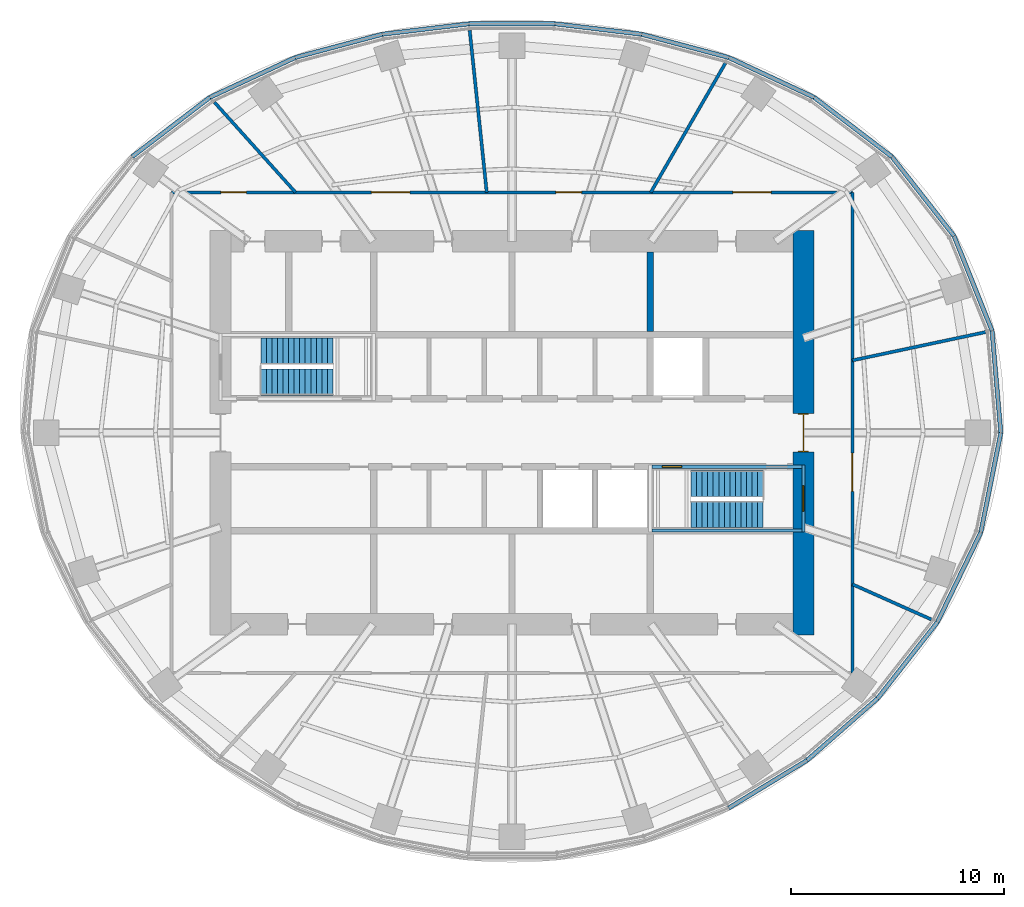
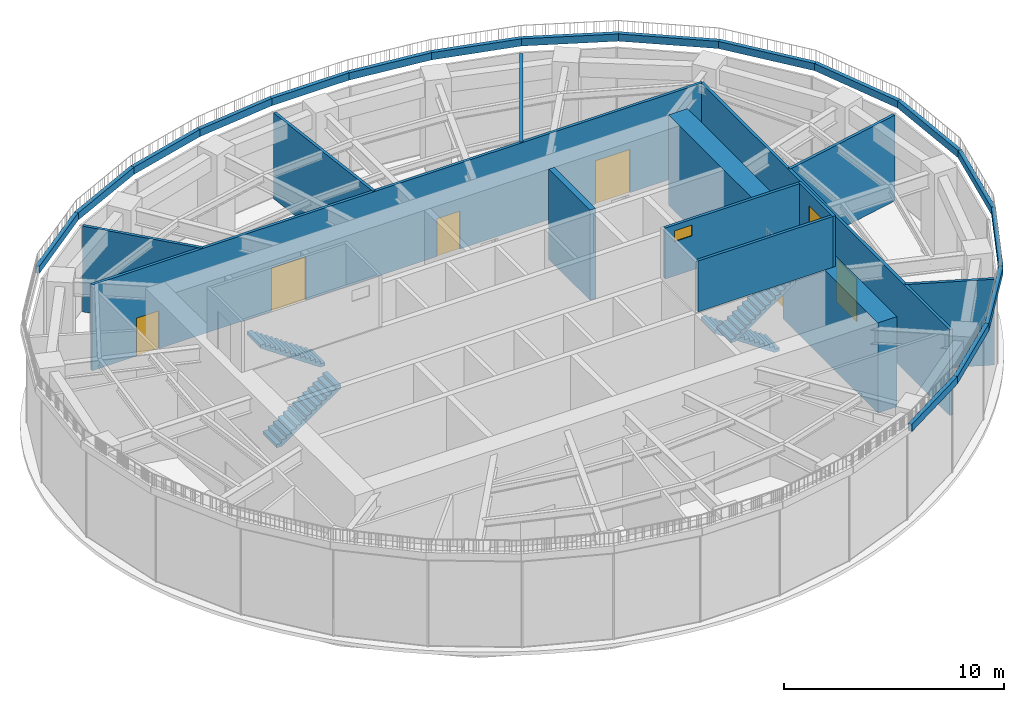
"""IFC4 building model written with IfcOpenShell, lengths in metres."""

import ifcopenshell
import ifcopenshell.guid

model = None  # the IFC model being written
_history = None  # IfcOwnerHistory: only IFC2X3 demands one
_inside = {}  # id of a spatial element -> (the spatial element, [elements in it])
_under = {}  # id of a project, library or spatial element -> (it, [spatial elements below it])
_declared = {}  # id of a project -> (the project, [libraries it declares])
_typed = {}  # id of a type object -> (the type object, [elements of that type])
_made_of = {}  # id of a material, layer set ... -> (it, [elements and type objects made of it])


def new_model(schema):
    """Start an empty IFC model of exactly this schema.

    Asked for "IFC4X3", IfcOpenShell would pick the latest addendum, in which some entities
    have other attributes; the version numbers below select the first issue.
    IFC2X3 requires an IfcOwnerHistory on every rooted entity: one is made here for all.
    """
    global model, _history
    if schema == "IFC4X3":
        model = ifcopenshell.file(schema_version=(4, 3, 0, 0))
    else:
        model = ifcopenshell.file(schema=schema)
    _inside.clear()
    _under.clear()
    _declared.clear()
    _typed.clear()
    _made_of.clear()
    _history = None
    if model.schema == "IFC2X3":
        org = make("IfcOrganization", Name="unknown")
        user = make(
            "IfcPersonAndOrganization",
            ThePerson=make("IfcPerson", FamilyName="unknown"),
            TheOrganization=org,
        )
        app = make(
            "IfcApplication",
            ApplicationDeveloper=org,
            Version="unknown",
            ApplicationFullName="unknown",
            ApplicationIdentifier="unknown",
        )
        _history = make(
            "IfcOwnerHistory",
            OwningUser=user,
            OwningApplication=app,
            ChangeAction="ADDED",
            CreationDate=0,
        )
    return model


def make(cls, **values):
    """One entity of the class cls with the attributes given. An attribute that is None is left unset."""
    return model.create_entity(
        cls, **{name: value for name, value in values.items() if value is not None}
    )


def rooted(cls, **values):
    """An entity with a GlobalId (a new one), such as an element, a storey or a relation."""
    return make(cls, GlobalId=ifcopenshell.guid.new(), OwnerHistory=_history, **values)


def si_unit(unit_type, name, prefix=None):
    """IfcSIUnit, for example si_unit("LENGTHUNIT", "METRE", prefix="MILLI")."""
    return make("IfcSIUnit", UnitType=unit_type, Prefix=prefix, Name=name)


def assignment(units):
    """IfcUnitAssignment: the units of a project."""
    return None if units is None else make("IfcUnitAssignment", Units=units)


def point(xyz):
    """IfcCartesianPoint."""
    return None if xyz is None else make("IfcCartesianPoint", Coordinates=xyz)


def direction(xyz):
    """IfcDirection."""
    return None if xyz is None else make("IfcDirection", DirectionRatios=xyz)


def frame(location, z_axis=None, x_axis=None):
    """IfcAxis2Placement3D, a coordinate frame: its origin and axes. An axis left out is left unset."""
    return make(
        "IfcAxis2Placement3D",
        Location=point(location),
        Axis=direction(z_axis),
        RefDirection=direction(x_axis),
    )


def frame_2d(location, x_axis=None):
    """IfcAxis2Placement2D, a coordinate frame in the plane: its origin and x axis."""
    return make(
        "IfcAxis2Placement2D", Location=point(location), RefDirection=direction(x_axis)
    )


def origin():
    """The frame at (0, 0, 0) with its axes left unset."""
    return frame((0.0, 0.0, 0.0))


def place(relative_to, where):
    """IfcLocalPlacement: puts the frame where relative to a parent placement (None: the world)."""
    return make(
        "IfcLocalPlacement", PlacementRelTo=relative_to, RelativePlacement=where
    )


def context(
    kind, dimensions, precision=None, world=None, true_north=None, identifier=None
):
    """IfcGeometricRepresentationContext, for example the 3D "Model" context."""
    return make(
        "IfcGeometricRepresentationContext",
        ContextIdentifier=identifier,
        ContextType=kind,
        CoordinateSpaceDimension=dimensions,
        Precision=precision,
        WorldCoordinateSystem=world,
        TrueNorth=true_north,
    )


def subcontext(parent, identifier, kind, view, scale=None):
    """IfcGeometricRepresentationSubContext, for example "Body" below "Model"."""
    return make(
        "IfcGeometricRepresentationSubContext",
        ContextIdentifier=identifier,
        ContextType=kind,
        ParentContext=parent,
        TargetScale=scale,
        TargetView=view,
    )


def project(units=None, contexts=None):
    """IfcProject with its units and contexts."""
    return rooted(
        "IfcProject",
        Name="project",
        RepresentationContexts=contexts,
        UnitsInContext=assignment(units),
    )


def spatial(cls, under=None, at=None, **own):
    """A site, building, storey or space (cls), placed at a placement, below another one or the project."""
    s = rooted(cls, ObjectPlacement=at, **own)
    if under is not None:
        _under.setdefault(under.id(), (under, []))[1].append(s)
    return s


def polyline(points):
    """IfcPolyline through the points."""
    return make("IfcPolyline", Points=[point(p) for p in points])


def profile(cls, at=None, kind="AREA", **sizes):
    """A parametric profile (cls). Its sizes go by their IFC names, for example OverallWidth=200.0."""
    return make(cls, ProfileType=kind, Position=at, **sizes)


def rectangle(**sizes):
    """IfcRectangleProfileDef."""
    return profile("IfcRectangleProfileDef", **sizes)


def outline(outer, holes=None, kind="AREA"):
    """IfcArbitraryClosedProfileDef: a profile drawn as a closed curve; with holes, ...WithVoids."""
    if holes is None:
        return make("IfcArbitraryClosedProfileDef", ProfileType=kind, OuterCurve=outer)
    return make(
        "IfcArbitraryProfileDefWithVoids",
        ProfileType=kind,
        OuterCurve=outer,
        InnerCurves=holes,
    )


def extrude(swept, where, along, depth):
    """IfcExtrudedAreaSolid: the profile swept, set in the frame where, extruded along a direction by depth."""
    return make(
        "IfcExtrudedAreaSolid",
        SweptArea=swept,
        Position=where,
        ExtrudedDirection=direction(along),
        Depth=depth,
    )


def shape(context_of_items, identifier, shape_type, items):
    """IfcShapeRepresentation: the items that make up one representation, for example the "Body"."""
    return make(
        "IfcShapeRepresentation",
        ContextOfItems=context_of_items,
        RepresentationIdentifier=identifier,
        RepresentationType=shape_type,
        Items=items,
    )


def material(Name=None, Category=None):
    """IfcMaterial."""
    return make("IfcMaterial", Name=Name, Category=Category)


def layer(
    of_material, thickness, ventilated=None, Name=None, Category=None, Priority=None
):
    """IfcMaterialLayer: one layer of a wall or slab, of a material (None: an air gap)."""
    return make(
        "IfcMaterialLayer",
        Material=of_material,
        LayerThickness=thickness,
        IsVentilated=ventilated,
        Name=Name,
        Category=Category,
        Priority=Priority,
    )


def layer_set(layers, Name=None):
    """IfcMaterialLayerSet."""
    return make("IfcMaterialLayerSet", MaterialLayers=layers, LayerSetName=Name)


def made_of(thing, what):
    """Note that an element or type object is made of a material, layer set ...; save() writes the relation."""
    if what is not None:
        _made_of.setdefault(what.id(), (what, []))[1].append(thing)
    return thing


def type_object(cls, material=None, **own):
    """A type object (cls), such as IfcWallType, which elements share."""
    return made_of(rooted(cls, **own), material)


def element(
    cls,
    number,
    at=None,
    inside=None,
    cuts=None,
    type_object=None,
    material=None,
    context=None,
    identifier="Body",
    shape_type=None,
    held_by="IfcProductDefinitionShape",
    body=None,
    shapes=None,
    **own,
):
    """One element of the class cls, such as IfcWall. Its Tag is "e" and its number.

    at: its placement. inside: the storey or other place that contains it. cuts: it is an
    opening in that element (IfcRelVoidsElement). A single representation is given by context,
    identifier, shape_type and body (its items); several are given by shapes. held_by: the class
    of the entity that holds the representations. save() writes the other relations.
    """
    e = rooted(cls, Tag="e%d" % number, ObjectPlacement=at, **own)
    if body is not None:
        shapes = [shape(context, identifier, shape_type, body)]
    if shapes is not None:
        e.Representation = make(held_by, Representations=shapes)
    if inside is not None:
        _inside.setdefault(inside.id(), (inside, []))[1].append(e)
    if cuts is not None:
        rooted(
            "IfcRelVoidsElement", RelatingBuildingElement=cuts, RelatedOpeningElement=e
        )
    if type_object is not None:
        _typed.setdefault(type_object.id(), (type_object, []))[1].append(e)
    return made_of(e, material)


def fill(opening, filler):
    """IfcRelFillsElement: the door or window that sits in an opening."""
    return rooted(
        "IfcRelFillsElement",
        RelatingOpeningElement=opening,
        RelatedBuildingElement=filler,
    )


def aggregate(whole, parts):
    """IfcRelAggregates: a whole, such as a stair, and the parts it consists of."""
    return rooted("IfcRelAggregates", RelatingObject=whole, RelatedObjects=parts)


def save(model, path):
    """Write the relations noted so far, then the file.

    IfcRelAggregates (storeys below a building ...), IfcRelContainedInSpatialStructure (elements
    in a storey), IfcRelDefinesByType, IfcRelAssociatesMaterial and IfcRelDeclares: one each for
    every whole, place, type object, material and project.
    """
    for whole, parts in _under.values():
        aggregate(whole, parts)
    for where, things in _inside.values():
        rooted(
            "IfcRelContainedInSpatialStructure",
            RelatedElements=things,
            RelatingStructure=where,
        )
    for kind, things in _typed.values():
        rooted("IfcRelDefinesByType", RelatedObjects=things, RelatingType=kind)
    for what, things in _made_of.values():
        rooted("IfcRelAssociatesMaterial", RelatedObjects=things, RelatingMaterial=what)
    for by, libraries in _declared.values():
        rooted("IfcRelDeclares", RelatingContext=by, RelatedDefinitions=libraries)
    model.write(path)


model = new_model("IFC4")

# Units and contexts
model_context = context("Model", 3, precision=1e-05, world=origin(), true_north=direction((0.0, 1.0)))
body_context = subcontext(model_context, "Body", "Model", "MODEL_VIEW")
ifc_project = project(units=[si_unit("LENGTHUNIT", "METRE"), si_unit("AREAUNIT", "SQUARE_METRE"), si_unit("VOLUMEUNIT", "CUBIC_METRE"), si_unit("PLANEANGLEUNIT", "RADIAN"), si_unit("MASSUNIT", "GRAM", prefix="KILO")], contexts=[model_context])

# Site, building, storey
site_placement = place(None, origin())
site = spatial("IfcSite", under=ifc_project, at=site_placement, CompositionType="ELEMENT")
building_placement = place(site_placement, origin())
building = spatial("IfcBuilding", under=site, at=building_placement, Name="Marramba Exchange Tower", CompositionType="ELEMENT")
storey_1_placement = place(building_placement, frame((0.0, 0.0, 277.0)))
storey_1 = spatial("IfcBuildingStorey", under=building, at=storey_1_placement, Name="L67", CompositionType="ELEMENT", Elevation=277.0)

# Wall, opening, door
ifc_material_1 = material(Name="Concrete N50", Category="concrete")
ifc_layer_1 = layer(ifc_material_1, 1.0)
ifc_layer_set_1 = layer_set([ifc_layer_1], Name="Core wall 1000")
wall_type_1 = type_object("IfcWallType", Name="Core wall 1000", PredefinedType="SHEAR", material=ifc_layer_set_1)
wall_1_placement = place(storey_1_placement, frame((13.699951171875, -9.5, 0.0), z_axis=(0.0, 0.0, 1.0), x_axis=(0.0, 1.0, 0.0)))
wall_1 = element("IfcWall", 1, at=wall_1_placement, inside=storey_1, type_object=wall_type_1, Name="Core wall E L67", PredefinedType="SHEAR", context=body_context, shape_type="SweptSolid", body=[
    extrude(rectangle(XDim=19.0, YDim=1.0, at=frame_2d((9.5, 0.0))), origin(), (0.0, 0.0, 1.0), 5.0),
])
opening_1_placement = place(wall_1_placement, frame((8.60009765625, 0.0, 0.0)))
opening_1 = element("IfcOpeningElement", 2, at=opening_1_placement, cuts=wall_1, Name="Opening D1", PredefinedType="OPENING", context=body_context, shape_type="SweptSolid", body=[
    extrude(rectangle(XDim=1.800048828125, YDim=2.39990234375, at=frame_2d((0.89990234375, 1.199951171875))), frame((0.0, 0.510009765625, 0.0), z_axis=(0.0, -1.0, 0.0), x_axis=(1.0, 0.0, 0.0)), (0.0, 0.0, 1.0), 1.02001953125),
])
ifc_material_2 = material(Name="Steel-framed door", Category="steel")
door_type_1 = type_object("IfcDoorType", Name="Lobby exit door 1800x2400", OperationType="DOUBLE_DOOR_SINGLE_SWING", PredefinedType="DOOR", material=ifc_material_2)
door_1_placement = place(opening_1_placement, origin())
door_1 = element("IfcDoor", 3, at=door_1_placement, inside=storey_1, type_object=door_type_1, Name="D1 lobby exit east L67", OperationType="DOUBLE_DOOR_SINGLE_SWING", OverallHeight=2.39990234375, OverallWidth=1.800048828125, PredefinedType="DOOR", context=body_context, shape_type="SweptSolid", body=[
    extrude(rectangle(XDim=1.719970703125, YDim=2.35986328125, at=frame_2d((0.89990234375, 1.179931640625))), frame((0.0, 0.02490234375, 0.0), z_axis=(0.0, -1.0, 0.0), x_axis=(1.0, 0.0, 0.0)), (0.0, 0.0, 1.0), 0.050048828125),
    extrude(rectangle(XDim=0.04, YDim=2.39990234375, at=frame_2d((0.02001953125, 1.199951171875))), frame((0.0, 0.25, 0.0), z_axis=(0.0, -1.0, 0.0), x_axis=(1.0, 0.0, 0.0)), (0.0, 0.0, 1.0), 0.5),
    extrude(rectangle(XDim=0.04, YDim=2.39990234375, at=frame_2d((1.780029296875, 1.199951171875))), frame((0.0, 0.25, 0.0), z_axis=(0.0, -1.0, 0.0), x_axis=(1.0, 0.0, 0.0)), (0.0, 0.0, 1.0), 0.5),
    extrude(rectangle(XDim=1.719970703125, YDim=0.04, at=frame_2d((0.89990234375, 2.3798828125))), frame((0.0, 0.25, 0.0), z_axis=(0.0, -1.0, 0.0), x_axis=(1.0, 0.0, 0.0)), (0.0, 0.0, 1.0), 0.5),
])
fill(opening_1, door_1)

# Walls
ifc_layer_2 = layer(ifc_material_1, 0.300048828125)
ifc_layer_set_2 = layer_set([ifc_layer_2], Name="Core wall 300")
wall_type_2 = type_object("IfcWallType", Name="Core wall 300", PredefinedType="SHEAR", material=ifc_layer_set_2)
wall_2_placement = place(storey_1_placement, frame((6.5, 4.75, 0.0), z_axis=(0.0, 0.0, 1.0), x_axis=(0.0, 1.0, 0.0)))
element("IfcWall", 4, at=wall_2_placement, inside=storey_1, type_object=wall_type_2, Name="Core wall X1Nb L67", PredefinedType="SHEAR", context=body_context, shape_type="SweptSolid", body=[
    extrude(rectangle(XDim=3.75, YDim=0.300048828125, at=frame_2d((1.875, 0.0))), origin(), (0.0, 0.0, 1.0), 5.0),
])
ifc_material_3 = material(Name="Concrete N40", Category="concrete")
ifc_layer_3 = layer(ifc_material_3, 0.199951171875)
ifc_layer_set_3 = layer_set([ifc_layer_3], Name="Roof upstand 200x400")
wall_type_3 = type_object("IfcWallType", Name="Roof upstand 200x400", PredefinedType="PARAPET", material=ifc_layer_set_3)
wall_3_placement = place(storey_1_placement, frame((22.97998046875, 0.0, 5.0), z_axis=(0.0, 0.0, 1.0), x_axis=(-0.085747752545, 0.996316878776, 0.0)))
element("IfcWall", 5, at=wall_3_placement, inside=storey_1, type_object=wall_type_3, Name="Roof upstand Roof crown F01", PredefinedType="PARAPET", context=body_context, shape_type="SweptSolid", body=[
    extrude(rectangle(XDim=4.814697265625, YDim=0.199951171875, at=frame_2d((2.4072265625, 0.0))), origin(), (0.0, 0.0, 1.0), 0.39990234375),
])
wall_4_placement = place(storey_1_placement, frame((22.567138671875, 4.796875, 5.0), z_axis=(0.0, 0.0, 1.0), x_axis=(-0.372363873994, 0.928086819939, 0.0)))
element("IfcWall", 6, at=wall_4_placement, inside=storey_1, type_object=wall_type_3, Name="Roof upstand Roof crown F02", PredefinedType="PARAPET", context=body_context, shape_type="SweptSolid", body=[
    extrude(rectangle(XDim=4.800048828125, YDim=0.199951171875, at=frame_2d((2.39990234375, 0.0))), origin(), (0.0, 0.0, 1.0), 0.39990234375),
])
wall_5_placement = place(storey_1_placement, frame((20.77978515625, 9.251708984375, 5.0), z_axis=(0.0, 0.0, 1.0), x_axis=(-0.617103610012, 0.78688190633, 0.0)))
element("IfcWall", 7, at=wall_5_placement, inside=storey_1, type_object=wall_type_3, Name="Roof upstand Roof crown F03", PredefinedType="PARAPET", context=body_context, shape_type="SweptSolid", body=[
    extrude(rectangle(XDim=4.732421875, YDim=0.199951171875, at=frame_2d((2.3662109375, 0.0))), origin(), (0.0, 0.0, 1.0), 0.39990234375),
])
wall_6_placement = place(storey_1_placement, frame((17.859375, 12.9755859375, 5.0), z_axis=(0.0, 0.0, 1.0), x_axis=(-0.794855686591, 0.606798514743, 0.0)))
element("IfcWall", 8, at=wall_6_placement, inside=storey_1, type_object=wall_type_3, Name="Roof upstand Roof crown F04", PredefinedType="PARAPET", context=body_context, shape_type="SweptSolid", body=[
    extrude(rectangle(XDim=4.604736328125, YDim=0.199951171875, at=frame_2d((2.30224609375, 0.0))), origin(), (0.0, 0.0, 1.0), 0.39990234375),
])
wall_7_placement = place(storey_1_placement, frame((14.19921875, 15.769775390625, 5.0), z_axis=(0.0, 0.0, 1.0), x_axis=(-0.906246502857, 0.422749661217, 0.0)))
element("IfcWall", 9, at=wall_7_placement, inside=storey_1, type_object=wall_type_3, Name="Roof upstand Roof crown F05", PredefinedType="PARAPET", context=body_context, shape_type="SweptSolid", body=[
    extrude(rectangle(XDim=4.428955078125, YDim=0.199951171875, at=frame_2d((2.21435546875, 0.0))), origin(), (0.0, 0.0, 1.0), 0.39990234375),
])
wall_8_placement = place(storey_1_placement, frame((10.185546875, 17.64208984375, 5.0), z_axis=(0.0, 0.0, 1.0), x_axis=(-0.96617759257, 0.257877605881, 0.0)))
element("IfcWall", 10, at=wall_8_placement, inside=storey_1, type_object=wall_type_3, Name="Roof upstand Roof crown F06", PredefinedType="PARAPET", context=body_context, shape_type="SweptSolid", body=[
    extrude(rectangle(XDim=4.241455078125, YDim=0.199951171875, at=frame_2d((2.12060546875, 0.0))), origin(), (0.0, 0.0, 1.0), 0.39990234375),
])
wall_9_placement = place(storey_1_placement, frame((6.087646484375, 18.73583984375, 5.0), z_axis=(0.0, 0.0, 1.0), x_axis=(-0.99282711648, 0.119558842338, 0.0)))
element("IfcWall", 11, at=wall_9_placement, inside=storey_1, type_object=wall_type_3, Name="Roof upstand Roof crown F07", PredefinedType="PARAPET", context=body_context, shape_type="SweptSolid", body=[
    extrude(rectangle(XDim=4.09619140625, YDim=0.199951171875, at=frame_2d((2.048095703125, 0.0))), origin(), (0.0, 0.0, 1.0), 0.39990234375),
])
wall_10_placement = place(storey_1_placement, frame((2.020751953125, 19.2255859375, 5.0), z_axis=(0.0, 0.0, 1.0), x_axis=(-1.0, 0.0, 0.0)))
element("IfcWall", 12, at=wall_10_placement, inside=storey_1, type_object=wall_type_3, Name="Roof upstand Roof crown F08", PredefinedType="PARAPET", context=body_context, shape_type="SweptSolid", body=[
    extrude(rectangle(XDim=4.04150390625, YDim=0.199951171875, at=frame_2d((2.020751953125, 0.0))), origin(), (0.0, 0.0, 1.0), 0.39990234375),
])
wall_11_placement = place(storey_1_placement, frame((-2.020751953125, 19.2255859375, 5.0), z_axis=(0.0, 0.0, 1.0), x_axis=(-0.99282711648, -0.119558842338, 0.0)))
element("IfcWall", 13, at=wall_11_placement, inside=storey_1, type_object=wall_type_3, Name="Roof upstand Roof crown F09", PredefinedType="PARAPET", context=body_context, shape_type="SweptSolid", body=[
    extrude(rectangle(XDim=4.09619140625, YDim=0.199951171875, at=frame_2d((2.048095703125, 0.0))), origin(), (0.0, 0.0, 1.0), 0.39990234375),
])
wall_12_placement = place(storey_1_placement, frame((-6.087646484375, 18.73583984375, 5.0), z_axis=(0.0, 0.0, 1.0), x_axis=(-0.96617759257, -0.257877605881, 0.0)))
element("IfcWall", 14, at=wall_12_placement, inside=storey_1, type_object=wall_type_3, Name="Roof upstand Roof crown F10", PredefinedType="PARAPET", context=body_context, shape_type="SweptSolid", body=[
    extrude(rectangle(XDim=4.241455078125, YDim=0.199951171875, at=frame_2d((2.12060546875, 0.0))), origin(), (0.0, 0.0, 1.0), 0.39990234375),
])
wall_13_placement = place(storey_1_placement, frame((-10.185546875, 17.64208984375, 5.0), z_axis=(0.0, 0.0, 1.0), x_axis=(-0.906246502857, -0.422749661217, 0.0)))
element("IfcWall", 15, at=wall_13_placement, inside=storey_1, type_object=wall_type_3, Name="Roof upstand Roof crown F11", PredefinedType="PARAPET", context=body_context, shape_type="SweptSolid", body=[
    extrude(rectangle(XDim=4.428955078125, YDim=0.199951171875, at=frame_2d((2.21435546875, 0.0))), origin(), (0.0, 0.0, 1.0), 0.39990234375),
])
wall_14_placement = place(storey_1_placement, frame((-14.19921875, 15.769775390625, 5.0), z_axis=(0.0, 0.0, 1.0), x_axis=(-0.794855686591, -0.606798514743, 0.0)))
element("IfcWall", 16, at=wall_14_placement, inside=storey_1, type_object=wall_type_3, Name="Roof upstand Roof crown F12", PredefinedType="PARAPET", context=body_context, shape_type="SweptSolid", body=[
    extrude(rectangle(XDim=4.604736328125, YDim=0.199951171875, at=frame_2d((2.30224609375, 0.0))), origin(), (0.0, 0.0, 1.0), 0.39990234375),
])
wall_15_placement = place(storey_1_placement, frame((10.185546875, -17.64208984375, 5.0), z_axis=(0.0, 0.0, 1.0), x_axis=(0.854217149251, 0.519916398977, 0.0)))
element("IfcWall", 17, at=wall_15_placement, inside=storey_1, type_object=wall_type_3, Name="Roof upstand Roof crown F26", PredefinedType="PARAPET", context=body_context, shape_type="SweptSolid", body=[
    extrude(rectangle(XDim=4.310302734375, YDim=0.199951171875, at=frame_2d((2.1552734375, 0.0))), origin(), (0.0, 0.0, 1.0), 0.39990234375),
])
wall_16_placement = place(storey_1_placement, frame((13.867431640625, -15.401123046875, 5.0), z_axis=(0.0, 0.0, 1.0), x_axis=(0.751898477354, 0.659278908925, 0.0)))
element("IfcWall", 18, at=wall_16_placement, inside=storey_1, type_object=wall_type_3, Name="Roof upstand Roof crown F27", PredefinedType="PARAPET", context=body_context, shape_type="SweptSolid", body=[
    extrude(rectangle(XDim=4.41796875, YDim=0.199951171875, at=frame_2d((2.208984375, 0.0))), origin(), (0.0, 0.0, 1.0), 0.39990234375),
])
wall_17_placement = place(storey_1_placement, frame((17.189208984375, -12.488525390625, 5.0), z_axis=(0.0, 0.0, 1.0), x_axis=(0.617115858167, 0.786872300694, 0.0)))
element("IfcWall", 19, at=wall_17_placement, inside=storey_1, type_object=wall_type_3, Name="Roof upstand Roof crown F28", PredefinedType="PARAPET", context=body_context, shape_type="SweptSolid", body=[
    extrude(rectangle(XDim=4.5546875, YDim=0.199951171875, at=frame_2d((2.27734375, 0.0))), origin(), (0.0, 0.0, 1.0), 0.39990234375),
])
wall_18_placement = place(storey_1_placement, frame((20.0, -8.904541015625, 5.0), z_axis=(0.0, 0.0, 1.0), x_axis=(0.43525592316, 0.900306770692, 0.0)))
element("IfcWall", 20, at=wall_18_placement, inside=storey_1, type_object=wall_type_3, Name="Roof upstand Roof crown F29", PredefinedType="PARAPET", context=body_context, shape_type="SweptSolid", body=[
    extrude(rectangle(XDim=4.68701171875, YDim=0.199951171875, at=frame_2d((2.343505859375, 0.0))), origin(), (0.0, 0.0, 1.0), 0.39990234375),
])
wall_19_placement = place(storey_1_placement, frame((22.0400390625, -4.684814453125, 5.0), z_axis=(0.0, 0.0, 1.0), x_axis=(0.196715481336, 0.980460615937, 0.0)))
element("IfcWall", 21, at=wall_19_placement, inside=storey_1, type_object=wall_type_3, Name="Roof upstand Roof crown F30", PredefinedType="PARAPET", context=body_context, shape_type="SweptSolid", body=[
    extrude(rectangle(XDim=4.778076171875, YDim=0.199951171875, at=frame_2d((2.38916015625, 0.0))), origin(), (0.0, 0.0, 1.0), 0.39990234375),
])

# Wall, opening, door
ifc_material_4 = material(Name="Precast concrete N40 panel", Category="concrete")
ifc_layer_4 = layer(ifc_material_4, 0.14990234375)
ifc_layer_set_4 = layer_set([ifc_layer_4], Name="Stair head-house wall 150")
wall_type_4 = type_object("IfcWallType", Name="Stair head-house wall 150", PredefinedType="SOLIDWALL", material=ifc_layer_set_4)
wall_20_placement = place(storey_1_placement, frame((13.699951171875, -4.675048828125, 5.0), z_axis=(0.0, 0.0, 1.0), x_axis=(0.0, 1.0, 0.0)))
wall_20 = element("IfcWall", 22, at=wall_20_placement, inside=storey_1, type_object=wall_type_4, Name="Stair head-house wall ST2 E", PredefinedType="SOLIDWALL", context=body_context, shape_type="SweptSolid", body=[
    extrude(rectangle(XDim=3.150146484375, YDim=0.14990234375, at=frame_2d((1.5751953125, 0.0))), origin(), (0.0, 0.0, 1.0), 2.820068359375),
])
opening_2_placement = place(wall_20_placement, frame((0.97509765625, 0.0, 0.0)))
opening_2 = element("IfcOpeningElement", 23, at=opening_2_placement, cuts=wall_20, Name="Opening D12", PredefinedType="OPENING", context=body_context, shape_type="SweptSolid", body=[
    extrude(rectangle(XDim=1.199951171875, YDim=2.10009765625, at=frame_2d((0.60009765625, 1.050048828125))), frame((0.0, 0.0849609375, 0.0), z_axis=(0.0, -1.0, 0.0), x_axis=(1.0, 0.0, 0.0)), (0.0, 0.0, 1.0), 0.169921875),
])
door_type_2 = type_object("IfcDoorType", Name="Roof access door 1200x2100", OperationType="SINGLE_SWING_LEFT", PredefinedType="DOOR", material=ifc_material_2)
door_2_placement = place(opening_2_placement, frame((1.199951171875, 0.0, 0.0), z_axis=(0.0, 0.0, 1.0), x_axis=(-1.0, 0.0, 0.0)))
door_2 = element("IfcDoor", 24, at=door_2_placement, inside=storey_1, type_object=door_type_2, Name="D12 roof ST2", OperationType="SINGLE_SWING_RIGHT", OverallHeight=2.10009765625, OverallWidth=1.199951171875, PredefinedType="DOOR", context=body_context, shape_type="SweptSolid", body=[
    extrude(rectangle(XDim=1.199951171875, YDim=2.10009765625, at=frame_2d((0.599853515625, 1.050048828125))), frame((0.0, 0.025146484375, 0.0), z_axis=(0.0, -1.0, 0.0), x_axis=(1.0, 0.0, 0.0)), (0.0, 0.0, 1.0), 0.050048828125),
])
fill(opening_2, door_2)

# Wall
wall_21_placement = place(storey_1_placement, frame((6.574951171875, -4.60009765625, 5.0), z_axis=(0.0, 0.0, 1.0), x_axis=(1.0, 0.0, 0.0)))
element("IfcWall", 25, at=wall_21_placement, inside=storey_1, type_object=wall_type_4, Name="Stair head-house wall ST2 S", PredefinedType="SOLIDWALL", context=body_context, shape_type="SweptSolid", body=[
    extrude(rectangle(XDim=7.050048828125, YDim=0.14990234375, at=frame_2d((3.52490234375, 0.0))), origin(), (0.0, 0.0, 1.0), 2.820068359375),
])

# Wall, opening
wall_22_placement = place(storey_1_placement, frame((6.574951171875, -1.60009765625, 5.0), z_axis=(0.0, 0.0, 1.0), x_axis=(1.0, 0.0, 0.0)))
wall_22 = element("IfcWall", 26, at=wall_22_placement, inside=storey_1, type_object=wall_type_4, Name="Stair head-house wall ST2 N", PredefinedType="SOLIDWALL", context=body_context, shape_type="SweptSolid", body=[
    extrude(rectangle(XDim=7.050048828125, YDim=0.14990234375, at=frame_2d((3.52490234375, 0.0))), origin(), (0.0, 0.0, 1.0), 2.820068359375),
])
opening_3_placement = place(wall_22_placement, frame((0.5, 0.0, 1.89990234375)))
opening_3 = element("IfcOpeningElement", 27, at=opening_3_placement, cuts=wall_22, Name="Opening W6", PredefinedType="OPENING", context=body_context, shape_type="SweptSolid", body=[
    extrude(rectangle(XDim=0.89990234375, YDim=0.60009765625, at=frame_2d((0.449951171875, 0.300048828125))), frame((0.0, 0.0849609375, 0.0), z_axis=(0.0, -1.0, 0.0), x_axis=(1.0, 0.0, 0.0)), (0.0, 0.0, 1.0), 0.169921875),
])

# Storey
storey_2_placement = place(building_placement, frame((0.0, 0.0, 282.0)))
storey_2 = spatial("IfcBuildingStorey", under=building, at=storey_2_placement, Name="Roof crown", CompositionType="ELEMENT", Elevation=282.0)

# Window
ifc_material_5 = material(Name="Aluminium relief louvre, bronze anodised", Category="aluminium")
window_type = type_object("IfcWindowType", Name="Stair pressure relief louvre 900x600", PartitioningType="SINGLE_PANEL", PredefinedType="WINDOW", material=ifc_material_5)
window_placement = place(opening_3_placement, origin())
window = element("IfcWindow", 28, at=window_placement, inside=storey_2, type_object=window_type, Name="W6 roof ST2", OverallHeight=0.60009765625, OverallWidth=0.89990234375, PartitioningType="SINGLE_PANEL", PredefinedType="WINDOW", context=body_context, shape_type="SweptSolid", body=[
    extrude(rectangle(XDim=0.89990234375, YDim=0.60009765625, at=frame_2d((0.449951171875, 0.300048828125))), frame((0.0, 0.030029296875, 0.0), z_axis=(0.0, -1.0, 0.0), x_axis=(1.0, 0.0, 0.0)), (0.0, 0.0, 1.0), 0.06005859375),
])

fill(opening_3, window)

# Wall
ifc_material_6 = material(Name="Fire-rated plasterboard on steel studs, acoustic insulation", Category="steel")
ifc_layer_5 = layer(ifc_material_6, 0.14990234375)
ifc_layer_set_5 = layer_set([ifc_layer_5], Name="Tenancy wall 150")
wall_type_5 = type_object("IfcWallType", Name="Tenancy wall 150", PredefinedType="PARTITIONING", material=ifc_layer_set_5)
wall_23_placement = place(storey_1_placement, frame((16.0, -7.123779296875, 0.0), z_axis=(0.0, 0.0, 1.0), x_axis=(0.91357135451, -0.406678472774, 0.0)))
element("IfcWall", 29, at=wall_23_placement, inside=storey_1, type_object=wall_type_5, Name="Tenancy wall L67 06", PredefinedType="PARTITIONING", context=body_context, shape_type="SweptSolid", body=[
    extrude(rectangle(XDim=4.068359375, YDim=0.14990234375, at=frame_2d((2.0341796875, 0.0))), origin(), (0.0, 0.0, 1.0), 4.75),
])

# Wall, opening, door
wall_24_placement = place(storey_1_placement, frame((16.0, -11.300048828125, 0.0), z_axis=(0.0, 0.0, 1.0), x_axis=(0.0, 1.0, 0.0)))
wall_24 = element("IfcWall", 30, at=wall_24_placement, inside=storey_1, type_object=wall_type_5, Name="Tenancy wall L67 07", PredefinedType="PARTITIONING", context=body_context, shape_type="SweptSolid", body=[
    extrude(rectangle(XDim=22.60009765625, YDim=0.14990234375, at=frame_2d((11.300048828125, 0.0))), origin(), (0.0, 0.0, 1.0), 4.75),
])
opening_4_placement = place(wall_24_placement, frame((8.5390625, 0.0, 0.0)))
opening_4 = element("IfcOpeningElement", 31, at=opening_4_placement, cuts=wall_24, Name="Opening D18", PredefinedType="OPENING", context=body_context, shape_type="SweptSolid", body=[
    extrude(rectangle(XDim=1.800048828125, YDim=2.39990234375, at=frame_2d((0.89990234375, 1.199951171875))), frame((0.0, 0.0849609375, 0.0), z_axis=(0.0, -1.0, 0.0), x_axis=(1.0, 0.0, 0.0)), (0.0, 0.0, 1.0), 0.169921875),
])
door_type_3 = type_object("IfcDoorType", Name="Door pair 1800x2400", OperationType="DOUBLE_DOOR_SINGLE_SWING", PredefinedType="DOOR", material=ifc_material_2)
door_3_placement = place(opening_4_placement, origin())
door_3 = element("IfcDoor", 32, at=door_3_placement, inside=storey_1, type_object=door_type_3, Name="D18 Condenser Water Plant Room L67", OperationType="DOUBLE_DOOR_SINGLE_SWING", OverallHeight=2.39990234375, OverallWidth=1.800048828125, PredefinedType="DOOR", context=body_context, shape_type="SweptSolid", body=[
    extrude(rectangle(XDim=1.800048828125, YDim=2.39990234375, at=frame_2d((0.89990234375, 1.199951171875))), frame((0.0, 0.02490234375, 0.0), z_axis=(0.0, -1.0, 0.0), x_axis=(1.0, 0.0, 0.0)), (0.0, 0.0, 1.0), 0.050048828125),
])
fill(opening_4, door_3)

# Walls
wall_25_placement = place(storey_1_placement, frame((22.263916015625, 4.732421875, 0.0), z_axis=(0.0, 0.0, 1.0), x_axis=(-0.97814421791, -0.207927605117, 0.0)))
element("IfcWall", 33, at=wall_25_placement, inside=storey_1, type_object=wall_type_5, Name="Tenancy wall L67 08", PredefinedType="PARTITIONING", context=body_context, shape_type="SweptSolid", body=[
    extrude(rectangle(XDim=6.40380859375, YDim=0.14990234375, at=frame_2d((3.201904296875, 0.0))), origin(), (0.0, 0.0, 1.0), 4.75),
])
wall_26_placement = place(storey_1_placement, frame((6.524169921875, 11.300048828125, 0.0), z_axis=(0.0, 0.0, 1.0), x_axis=(0.4999806097, 0.86603659849, 0.0)))
element("IfcWall", 34, at=wall_26_placement, inside=storey_1, type_object=wall_type_5, Name="Tenancy wall L67 09", PredefinedType="PARTITIONING", context=body_context, shape_type="SweptSolid", body=[
    extrude(rectangle(XDim=7.012939453125, YDim=0.14990234375, at=frame_2d((3.50634765625, 0.0))), origin(), (0.0, 0.0, 1.0), 4.75),
])

# Wall, openings, doors
wall_27_placement = place(storey_1_placement, frame((16.0, 11.300048828125, 0.0), z_axis=(0.0, 0.0, 1.0), x_axis=(-1.0, 0.0, 0.0)))
wall_27 = element("IfcWall", 35, at=wall_27_placement, inside=storey_1, type_object=wall_type_5, Name="Tenancy wall L67 10", PredefinedType="PARTITIONING", context=body_context, shape_type="SweptSolid", body=[
    extrude(rectangle(XDim=32.0, YDim=0.14990234375, at=frame_2d((16.0, 0.0))), origin(), (0.0, 0.0, 1.0), 4.75),
])
opening_5_placement = place(wall_27_placement, frame((3.81298828125, 0.0, 0.0)))
opening_5 = element("IfcOpeningElement", 36, at=opening_5_placement, cuts=wall_27, Name="Opening D18", PredefinedType="OPENING", context=body_context, shape_type="SweptSolid", body=[
    extrude(rectangle(XDim=1.800048828125, YDim=2.39990234375, at=frame_2d((0.89990234375, 1.199951171875))), frame((0.0, 0.0849609375, 0.0), z_axis=(0.0, -1.0, 0.0), x_axis=(1.0, 0.0, 0.0)), (0.0, 0.0, 1.0), 0.169921875),
])
opening_6_placement = place(wall_27_placement, frame((12.73193359375, 0.0, 0.0)))
opening_6 = element("IfcOpeningElement", 37, at=opening_6_placement, cuts=wall_27, Name="Opening D16", PredefinedType="OPENING", context=body_context, shape_type="SweptSolid", body=[
    extrude(rectangle(XDim=1.199951171875, YDim=2.10009765625, at=frame_2d((0.60009765625, 1.050048828125))), frame((0.0, 0.0849609375, 0.0), z_axis=(0.0, -1.0, 0.0), x_axis=(1.0, 0.0, 0.0)), (0.0, 0.0, 1.0), 0.169921875),
])
opening_7_placement = place(wall_27_placement, frame((20.805908203125, 0.0, 0.0)))
opening_7 = element("IfcOpeningElement", 38, at=opening_7_placement, cuts=wall_27, Name="Opening D18", PredefinedType="OPENING", context=body_context, shape_type="SweptSolid", body=[
    extrude(rectangle(XDim=1.800048828125, YDim=2.39990234375, at=frame_2d((0.89990234375, 1.199951171875))), frame((0.0, 0.0849609375, 0.0), z_axis=(0.0, -1.0, 0.0), x_axis=(1.0, 0.0, 0.0)), (0.0, 0.0, 1.0), 0.169921875),
])
opening_8_placement = place(wall_27_placement, frame((28.487060546875, 0.0, 0.0)))
opening_8 = element("IfcOpeningElement", 39, at=opening_8_placement, cuts=wall_27, Name="Opening D16", PredefinedType="OPENING", context=body_context, shape_type="SweptSolid", body=[
    extrude(rectangle(XDim=1.199951171875, YDim=2.10009765625, at=frame_2d((0.60009765625, 1.050048828125))), frame((0.0, 0.0849609375, 0.0), z_axis=(0.0, -1.0, 0.0), x_axis=(1.0, 0.0, 0.0)), (0.0, 0.0, 1.0), 0.169921875),
])
door_4_placement = place(opening_5_placement, origin())
door_4 = element("IfcDoor", 40, at=door_4_placement, inside=storey_1, type_object=door_type_3, Name="D18 Chiller Plant Room 1 L67", OperationType="DOUBLE_DOOR_SINGLE_SWING", OverallHeight=2.39990234375, OverallWidth=1.800048828125, PredefinedType="DOOR", context=body_context, shape_type="SweptSolid", body=[
    extrude(rectangle(XDim=1.800048828125, YDim=2.39990234375, at=frame_2d((0.89990234375, 1.199951171875))), frame((0.0, 0.02490234375, 0.0), z_axis=(0.0, -1.0, 0.0), x_axis=(1.0, 0.0, 0.0)), (0.0, 0.0, 1.0), 0.050048828125),
])
fill(opening_5, door_4)
door_5_placement = place(opening_7_placement, origin())
door_5 = element("IfcDoor", 41, at=door_5_placement, inside=storey_1, type_object=door_type_3, Name="D18 Main AHU Plant Room L67", OperationType="DOUBLE_DOOR_SINGLE_SWING", OverallHeight=2.39990234375, OverallWidth=1.800048828125, PredefinedType="DOOR", context=body_context, shape_type="SweptSolid", body=[
    extrude(rectangle(XDim=1.800048828125, YDim=2.39990234375, at=frame_2d((0.89990234375, 1.199951171875))), frame((0.0, 0.02490234375, 0.0), z_axis=(0.0, -1.0, 0.0), x_axis=(1.0, 0.0, 0.0)), (0.0, 0.0, 1.0), 0.050048828125),
])
fill(opening_7, door_5)
door_type_4 = type_object("IfcDoorType", Name="Equipment room door 1200x2100", OperationType="SINGLE_SWING_LEFT", PredefinedType="DOOR", material=ifc_material_2)
door_6_placement = place(opening_6_placement, origin())
door_6 = element("IfcDoor", 42, at=door_6_placement, inside=storey_1, type_object=door_type_4, Name="D16 Heat Pump and Boiler Room L67", OperationType="SINGLE_SWING_LEFT", OverallHeight=2.10009765625, OverallWidth=1.199951171875, PredefinedType="DOOR", context=body_context, shape_type="SweptSolid", body=[
    extrude(rectangle(XDim=1.199951171875, YDim=2.10009765625, at=frame_2d((0.60009765625, 1.050048828125))), frame((0.0, 0.02490234375, 0.0), z_axis=(0.0, -1.0, 0.0), x_axis=(1.0, 0.0, 0.0)), (0.0, 0.0, 1.0), 0.050048828125),
])
fill(opening_6, door_6)
door_7_placement = place(opening_8_placement, frame((1.199951171875, 0.0, 0.0), z_axis=(0.0, 0.0, 1.0), x_axis=(-1.0, 0.0, 0.0)))
door_7 = element("IfcDoor", 43, at=door_7_placement, inside=storey_1, type_object=door_type_4, Name="D16 Outdoor Air Intake Plant Room L67", OperationType="SINGLE_SWING_RIGHT", OverallHeight=2.10009765625, OverallWidth=1.199951171875, PredefinedType="DOOR", context=body_context, shape_type="SweptSolid", body=[
    extrude(rectangle(XDim=1.199951171875, YDim=2.10009765625, at=frame_2d((0.599853515625, 1.050048828125))), frame((0.0, 0.025146484375, 0.0), z_axis=(0.0, -1.0, 0.0), x_axis=(1.0, 0.0, 0.0)), (0.0, 0.0, 1.0), 0.050048828125),
])
fill(opening_8, door_7)

# Walls
wall_28_placement = place(storey_1_placement, frame((-1.187744140625, 11.300048828125, 0.0), z_axis=(0.0, 0.0, 1.0), x_axis=(-0.10451720061, 0.994523079057, 0.0)))
element("IfcWall", 44, at=wall_28_placement, inside=storey_1, type_object=wall_type_5, Name="Tenancy wall L67 11", PredefinedType="PARTITIONING", context=body_context, shape_type="SweptSolid", body=[
    extrude(rectangle(XDim=7.659423828125, YDim=0.14990234375, at=frame_2d((3.82958984375, 0.0))), origin(), (0.0, 0.0, 1.0), 4.75),
])
wall_29_placement = place(storey_1_placement, frame((-10.174560546875, 11.300048828125, 0.0), z_axis=(0.0, 0.0, 1.0), x_axis=(-0.669139686494, 0.743136649586, 0.0)))
element("IfcWall", 45, at=wall_29_placement, inside=storey_1, type_object=wall_type_5, Name="Tenancy wall L67 12", PredefinedType="PARTITIONING", context=body_context, shape_type="SweptSolid", body=[
    extrude(rectangle(XDim=5.70458984375, YDim=0.14990234375, at=frame_2d((2.852294921875, 0.0))), origin(), (0.0, 0.0, 1.0), 4.75),
])

# Stair, stair flights
ifc_material_7 = material(Name="Concrete N40 (40 MPa)", Category="concrete")
stair_type_1 = type_object("IfcStairType", Name="Exit stair ST1 5000 x 1250", PredefinedType="HALF_TURN_STAIR", material=ifc_material_7)
stair_1_placement = place(storey_1_placement, origin())
stair_1 = element("IfcStair", 46, at=stair_1_placement, inside=storey_1, type_object=stair_type_1, Name="Exit stair ST1 L67", PredefinedType="HALF_TURN_STAIR")
stair_flight_type_1 = type_object("IfcStairFlightType", Name="ST1 stair flight 1786 riser 1250 wide", PredefinedType="STRAIGHT", material=ifc_material_7)
stair_flight_1_placement = place(storey_1_placement, frame((-11.800048828125, 2.375, 0.0), z_axis=(0.0, 0.0, 1.0), x_axis=(1.0, 0.0, 0.0)))
stair_flight_1 = element("IfcStairFlight", 47, at=stair_flight_1_placement, type_object=stair_flight_type_1, Name="ST1 flight 1", NumberOfRisers=14, NumberOfTreads=13, PredefinedType="STRAIGHT", RiserHeight=0.178571429, TreadLength=0.26, context=body_context, shape_type="SweptSolid", body=[
    extrude(outline(polyline([(0.0, 0.0), (0.0, 0.178466796875), (0.260009765625, 0.178466796875), (0.260009765625, 0.357177734375), (0.52001953125, 0.357177734375), (0.52001953125, 0.53564453125), (0.780029296875, 0.53564453125), (0.780029296875, 0.71435546875), (1.0400390625, 0.71435546875), (1.0400390625, 0.892822265625), (1.300048828125, 0.892822265625), (1.300048828125, 1.071533203125), (1.56005859375, 1.071533203125), (1.56005859375, 1.25), (1.820068359375, 1.25), (1.820068359375, 1.428466796875), (2.080078125, 1.428466796875), (2.080078125, 1.607177734375), (2.340087890625, 1.607177734375), (2.340087890625, 1.78564453125), (2.60009765625, 1.78564453125), (2.60009765625, 1.96435546875), (2.860107421875, 1.96435546875), (2.860107421875, 2.142822265625), (3.1201171875, 2.142822265625), (3.1201171875, 2.321533203125), (3.3798828125, 2.321533203125), (3.3798828125, 2.5), (3.3798828125, 2.1396484375), (0.264892578125, 0.0), (0.0, 0.0)])), frame((0.0, 0.625, 0.0), z_axis=(0.0, -1.0, 0.0), x_axis=(1.0, 0.0, 0.0)), (0.0, 0.0, 1.0), 1.25),
])
stair_flight_2_placement = place(storey_1_placement, frame((-8.419921875, 3.824951171875, 2.5), z_axis=(0.0, 0.0, 1.0), x_axis=(-1.0, 0.0, 0.0)))
stair_flight_2 = element("IfcStairFlight", 48, at=stair_flight_2_placement, type_object=stair_flight_type_1, Name="ST1 flight 2", NumberOfRisers=14, NumberOfTreads=13, PredefinedType="STRAIGHT", RiserHeight=0.178571429, TreadLength=0.26, context=body_context, shape_type="SweptSolid", body=[
    extrude(outline(polyline([(0.0, 0.0), (0.0, 0.178466796875), (0.260009765625, 0.178466796875), (0.260009765625, 0.357177734375), (0.52001953125, 0.357177734375), (0.52001953125, 0.53564453125), (0.780029296875, 0.53564453125), (0.780029296875, 0.71435546875), (1.0400390625, 0.71435546875), (1.0400390625, 0.892822265625), (1.300048828125, 0.892822265625), (1.300048828125, 1.071533203125), (1.56005859375, 1.071533203125), (1.56005859375, 1.25), (1.820068359375, 1.25), (1.820068359375, 1.428466796875), (2.080078125, 1.428466796875), (2.080078125, 1.607177734375), (2.340087890625, 1.607177734375), (2.340087890625, 1.78564453125), (2.60009765625, 1.78564453125), (2.60009765625, 1.96435546875), (2.860107421875, 1.96435546875), (2.860107421875, 2.142822265625), (3.1201171875, 2.142822265625), (3.1201171875, 2.321533203125), (3.3798828125, 2.321533203125), (3.3798828125, 2.5), (3.3798828125, 2.1396484375), (0.264892578125, 0.0), (0.0, 0.0)])), frame((0.0, 0.625, 0.0), z_axis=(0.0, -1.0, 0.0), x_axis=(1.0, 0.0, 0.0)), (0.0, 0.0, 1.0), 1.25),
])
aggregate(stair_1, [stair_flight_1, stair_flight_2])

stair_type_2 = type_object("IfcStairType", Name="Exit stair ST2 5000 x 1250", PredefinedType="HALF_TURN_STAIR", material=ifc_material_7)
stair_2_placement = place(storey_1_placement, origin())
stair_2 = element("IfcStair", 49, at=stair_2_placement, inside=storey_1, type_object=stair_type_2, Name="Exit stair ST2 L67", PredefinedType="HALF_TURN_STAIR")
stair_flight_type_2 = type_object("IfcStairFlightType", Name="ST2 stair flight 1786 riser 1250 wide", PredefinedType="STRAIGHT", material=ifc_material_7)
stair_flight_3_placement = place(storey_1_placement, frame((11.800048828125, -2.375, 0.0), z_axis=(0.0, 0.0, 1.0), x_axis=(-1.0, 0.0, 0.0)))
stair_flight_3 = element("IfcStairFlight", 50, at=stair_flight_3_placement, type_object=stair_flight_type_2, Name="ST2 flight 1", NumberOfRisers=14, NumberOfTreads=13, PredefinedType="STRAIGHT", RiserHeight=0.178571429, TreadLength=0.26, context=body_context, shape_type="SweptSolid", body=[
    extrude(outline(polyline([(0.0, 0.0), (0.0, 0.178466796875), (0.260009765625, 0.178466796875), (0.260009765625, 0.357177734375), (0.52001953125, 0.357177734375), (0.52001953125, 0.53564453125), (0.780029296875, 0.53564453125), (0.780029296875, 0.71435546875), (1.0400390625, 0.71435546875), (1.0400390625, 0.892822265625), (1.300048828125, 0.892822265625), (1.300048828125, 1.071533203125), (1.56005859375, 1.071533203125), (1.56005859375, 1.25), (1.820068359375, 1.25), (1.820068359375, 1.428466796875), (2.080078125, 1.428466796875), (2.080078125, 1.607177734375), (2.340087890625, 1.607177734375), (2.340087890625, 1.78564453125), (2.60009765625, 1.78564453125), (2.60009765625, 1.96435546875), (2.860107421875, 1.96435546875), (2.860107421875, 2.142822265625), (3.1201171875, 2.142822265625), (3.1201171875, 2.321533203125), (3.3798828125, 2.321533203125), (3.3798828125, 2.5), (3.3798828125, 2.1396484375), (0.264892578125, 0.0), (0.0, 0.0)])), frame((0.0, 0.625, 0.0), z_axis=(0.0, -1.0, 0.0), x_axis=(1.0, 0.0, 0.0)), (0.0, 0.0, 1.0), 1.25),
])
stair_flight_4_placement = place(storey_1_placement, frame((8.419921875, -3.824951171875, 2.5), z_axis=(0.0, 0.0, 1.0), x_axis=(1.0, 0.0, 0.0)))
stair_flight_4 = element("IfcStairFlight", 51, at=stair_flight_4_placement, type_object=stair_flight_type_2, Name="ST2 flight 2", NumberOfRisers=14, NumberOfTreads=13, PredefinedType="STRAIGHT", RiserHeight=0.178571429, TreadLength=0.26, context=body_context, shape_type="SweptSolid", body=[
    extrude(outline(polyline([(0.0, 0.0), (0.0, 0.178466796875), (0.260009765625, 0.178466796875), (0.260009765625, 0.357177734375), (0.52001953125, 0.357177734375), (0.52001953125, 0.53564453125), (0.780029296875, 0.53564453125), (0.780029296875, 0.71435546875), (1.0400390625, 0.71435546875), (1.0400390625, 0.892822265625), (1.300048828125, 0.892822265625), (1.300048828125, 1.071533203125), (1.56005859375, 1.071533203125), (1.56005859375, 1.25), (1.820068359375, 1.25), (1.820068359375, 1.428466796875), (2.080078125, 1.428466796875), (2.080078125, 1.607177734375), (2.340087890625, 1.607177734375), (2.340087890625, 1.78564453125), (2.60009765625, 1.78564453125), (2.60009765625, 1.96435546875), (2.860107421875, 1.96435546875), (2.860107421875, 2.142822265625), (3.1201171875, 2.142822265625), (3.1201171875, 2.321533203125), (3.3798828125, 2.321533203125), (3.3798828125, 2.5), (3.3798828125, 2.1396484375), (0.264892578125, 0.0), (0.0, 0.0)])), frame((0.0, 0.625, 0.0), z_axis=(0.0, -1.0, 0.0), x_axis=(1.0, 0.0, 0.0)), (0.0, 0.0, 1.0), 1.25),
])
aggregate(stair_2, [stair_flight_3, stair_flight_4])

save(model, "model.ifc")
